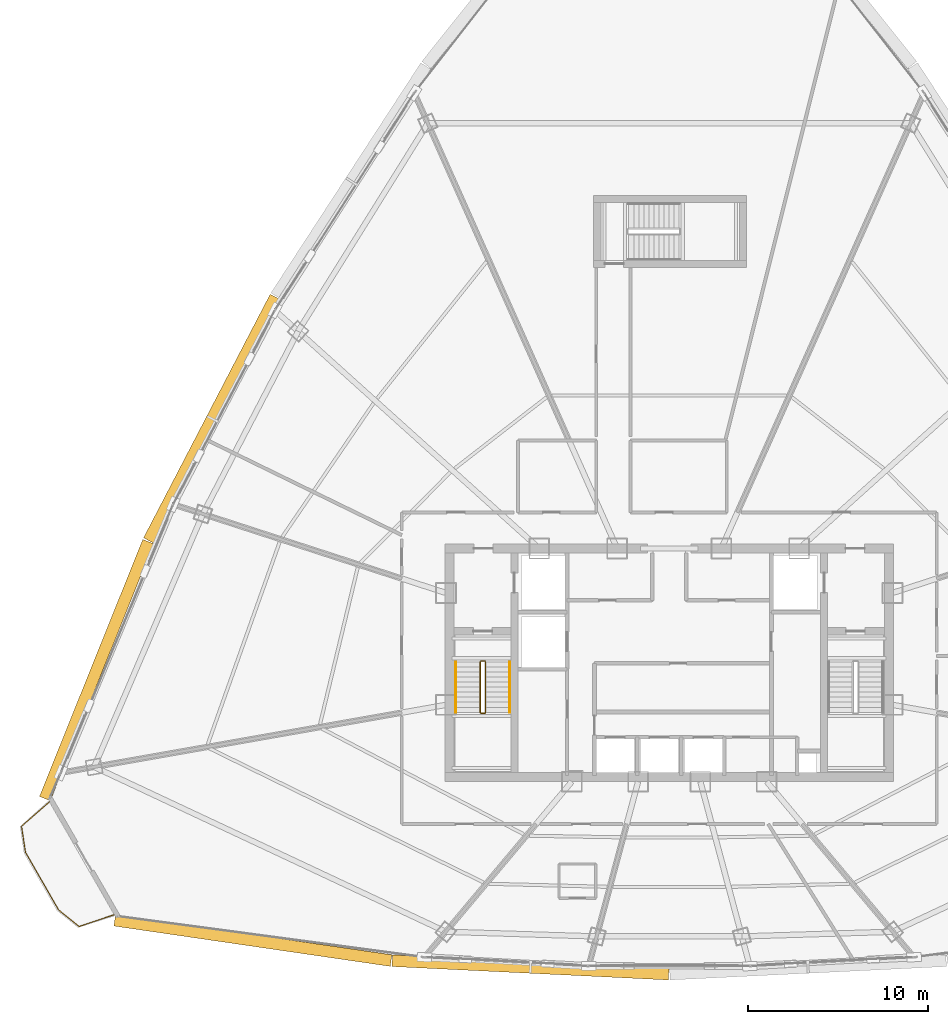
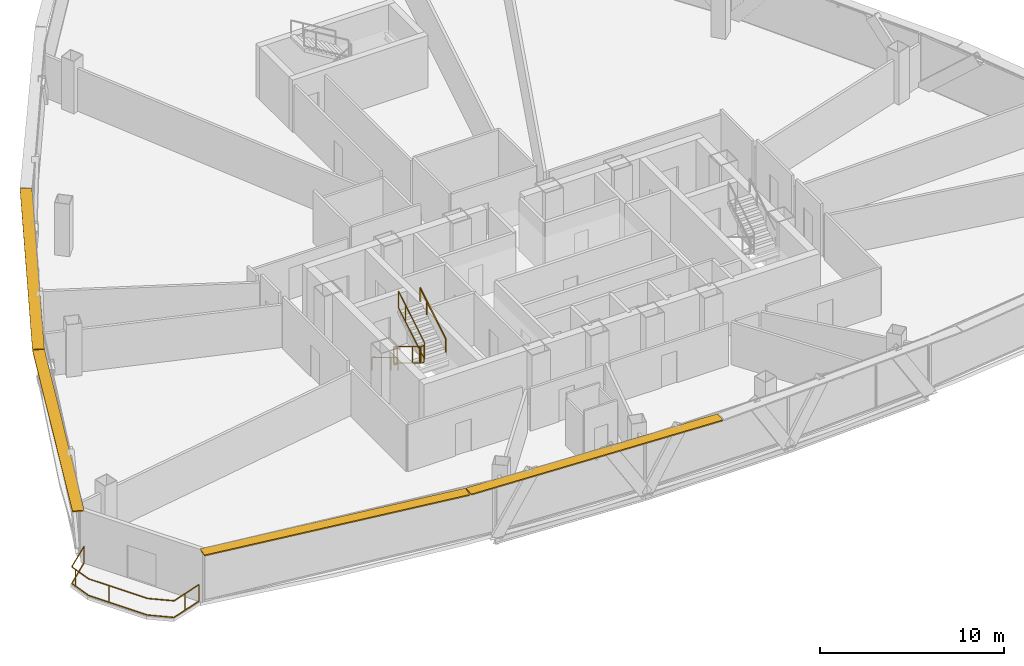
# One storey, part 34 of 37: 7 railings, 4 shading devices.
"""IFC4 building model written with IfcOpenShell, lengths in metres."""

from ifc_helpers import new_model, si_unit, direction, frame, origin, origin_2d, place, context, subcontext, project, spatial, rectangle, extrude, source, transform, mapped, material, layer, layer_set, type_object, element, save


model = new_model("IFC4")

# Units and contexts
model_context = context("Model", 3, precision=1e-05, world=origin(), true_north=direction((0.0, 1.0)))
body_context = subcontext(model_context, "Body", "Model", "MODEL_VIEW")
ifc_project = project(units=[si_unit("LENGTHUNIT", "METRE"), si_unit("AREAUNIT", "SQUARE_METRE"), si_unit("VOLUMEUNIT", "CUBIC_METRE"), si_unit("PLANEANGLEUNIT", "RADIAN"), si_unit("MASSUNIT", "GRAM", prefix="KILO"), si_unit("THERMODYNAMICTEMPERATUREUNIT", "KELVIN"), si_unit("POWERUNIT", "WATT")], contexts=[model_context])

# Site, building, storey
site_placement = place(None, origin())
site = spatial("IfcSite", under=ifc_project, at=site_placement, CompositionType="ELEMENT")
building_placement = place(site_placement, origin())
building = spatial("IfcBuilding", under=site, at=building_placement, Name="Yunzhuo Pagoda Commons", CompositionType="ELEMENT")
storey_placement = place(building_placement, frame((0.0, 0.0, 255.719970703125)))
storey = spatial("IfcBuildingStorey", under=building, at=storey_placement, Name="L64", CompositionType="ELEMENT", Elevation=255.719970703125)

# Railings
ifc_material = material(Name="Anodized aluminium 6063-T6", Category="aluminium")
railing_type_1 = type_object("IfcRailingType", Name="GR-ST1 Stair Well Guardrail 1150", PredefinedType="GUARDRAIL", material=ifc_material)
railing_1_placement = place(storey_placement, frame((37.5, 33.89990234375, 0.169677734375)))
element("IfcRailing", 1, at=railing_1_placement, inside=storey, type_object=railing_type_1, Name="L64 ST1 stair guard 1", PredefinedType="GUARDRAIL", context=body_context, shape_type="SweptSolid", body=[
    extrude(rectangle(XDim=0.048095703125, YDim=0.048095703125, at=origin_2d()), frame((0.0, 0.0, 1.1259765625), z_axis=(0.0, -0.855406155521, 0.517957825596), x_axis=(1.0, 0.0, 0.0)), (0.0, 0.0, 1.0), 3.27294921875),
    extrude(rectangle(XDim=0.048095703125, YDim=0.048095703125, at=origin_2d()), frame((0.0, 0.0, 0.02392578125), z_axis=(0.0, -0.855406155521, 0.517957825596), x_axis=(1.0, 0.0, 0.0)), (0.0, 0.0, 1.0), 3.27294921875),
    extrude(rectangle(XDim=0.0419921875, YDim=0.0419921875, at=origin_2d()), origin(), (0.0, 0.0, 1.0), 1.101806640625),
    extrude(rectangle(XDim=0.0419921875, YDim=0.0419921875, at=origin_2d()), frame((0.0, -2.052978515625, 1.2431640625)), (0.0, 0.0, 1.0), 1.101806640625),
    extrude(rectangle(XDim=0.0419921875, YDim=0.0419921875, at=origin_2d()), frame((0.0, -2.7998046875, 1.6953125)), (0.0, 0.0, 1.0), 1.101806640625),
])
railing_2_placement = place(storey_placement, frame((37.550048828125, 31.050048828125, 1.864990234375)))
element("IfcRailing", 2, at=railing_2_placement, inside=storey, type_object=railing_type_1, Name="L64 ST1 stair guard 2", PredefinedType="GUARDRAIL", context=body_context, shape_type="SweptSolid", body=[
    extrude(rectangle(XDim=0.048095703125, YDim=0.048095703125, at=origin_2d()), frame((0.0, 0.0, 1.1259765625), z_axis=(1.0, 0.0, 0.0), x_axis=(0.0, 1.0, 0.0)), (0.0, 0.0, 1.0), 0.199951171875),
    extrude(rectangle(XDim=0.048095703125, YDim=0.048095703125, at=origin_2d()), frame((0.0, 0.0, 0.02392578125), z_axis=(1.0, 0.0, 0.0), x_axis=(0.0, 1.0, 0.0)), (0.0, 0.0, 1.0), 0.199951171875),
    extrude(rectangle(XDim=0.0419921875, YDim=0.0419921875, at=origin_2d()), origin(), (0.0, 0.0, 1.0), 1.101806640625),
    extrude(rectangle(XDim=0.0419921875, YDim=0.0419921875, at=origin_2d()), frame((0.199951171875, 0.0, 0.0)), (0.0, 0.0, 1.0), 1.101806640625),
])
railing_3_placement = place(storey_placement, frame((37.800048828125, 31.10009765625, 2.03466796875)))
element("IfcRailing", 3, at=railing_3_placement, inside=storey, type_object=railing_type_1, Name="L64 ST1 stair guard 3", PredefinedType="GUARDRAIL", context=body_context, shape_type="SweptSolid", body=[
    extrude(rectangle(XDim=0.048095703125, YDim=0.048095703125, at=origin_2d()), frame((0.0, 0.0, 1.1259765625), z_axis=(0.0, 0.855406155521, 0.517957825596), x_axis=(-1.0, 0.0, 0.0)), (0.0, 0.0, 1.0), 3.27294921875),
    extrude(rectangle(XDim=0.048095703125, YDim=0.048095703125, at=origin_2d()), frame((0.0, 0.0, 0.02392578125), z_axis=(0.0, 0.855406155521, 0.517957825596), x_axis=(-1.0, 0.0, 0.0)), (0.0, 0.0, 1.0), 3.27294921875),
    extrude(rectangle(XDim=0.0419921875, YDim=0.0419921875, at=origin_2d()), origin(), (0.0, 0.0, 1.0), 1.101806640625),
    extrude(rectangle(XDim=0.0419921875, YDim=0.0419921875, at=origin_2d()), frame((0.0, 2.052978515625, 1.2431640625)), (0.0, 0.0, 1.0), 1.101806640625),
    extrude(rectangle(XDim=0.0419921875, YDim=0.0419921875, at=origin_2d()), frame((0.0, 2.7998046875, 1.6953125)), (0.0, 0.0, 1.0), 1.101806640625),
])
railing_4_placement = place(storey_placement, frame((37.550048828125, 33.949951171875, 0.0)))
element("IfcRailing", 4, at=railing_4_placement, inside=storey, type_object=railing_type_1, Name="L64 ST1 stair guard 4", PredefinedType="GUARDRAIL", context=body_context, shape_type="SweptSolid", body=[
    extrude(rectangle(XDim=0.048095703125, YDim=0.048095703125, at=origin_2d()), frame((0.0, 0.0, 1.1259765625), z_axis=(1.0, 0.0, 0.0), x_axis=(0.0, 1.0, 0.0)), (0.0, 0.0, 1.0), 0.199951171875),
    extrude(rectangle(XDim=0.048095703125, YDim=0.048095703125, at=origin_2d()), frame((0.0, 0.0, 0.02392578125), z_axis=(1.0, 0.0, 0.0), x_axis=(0.0, 1.0, 0.0)), (0.0, 0.0, 1.0), 0.199951171875),
    extrude(rectangle(XDim=0.0419921875, YDim=0.0419921875, at=origin_2d()), origin(), (0.0, 0.0, 1.0), 1.101806640625),
    extrude(rectangle(XDim=0.0419921875, YDim=0.0419921875, at=origin_2d()), frame((0.199951171875, 0.0, 0.0)), (0.0, 0.0, 1.0), 1.101806640625),
])
railing_type_2 = type_object("IfcRailingType", Name="HR-ST1 Stair Handrail 900", PredefinedType="HANDRAIL", material=ifc_material)
railing_5_placement = place(storey_placement, frame((36.14990234375, 33.89990234375, 0.169677734375)))
element("IfcRailing", 5, at=railing_5_placement, inside=storey, type_object=railing_type_2, Name="L64 ST1 stair handrail 1", PredefinedType="HANDRAIL", context=body_context, shape_type="SweptSolid", body=[
    extrude(rectangle(XDim=0.048095703125, YDim=0.048095703125, at=origin_2d()), frame((0.0, 0.0, 0.8759765625), z_axis=(0.0, -0.855406155521, 0.517957825596), x_axis=(1.0, 0.0, 0.0)), (0.0, 0.0, 1.0), 3.27294921875),
    extrude(rectangle(XDim=0.0419921875, YDim=0.0419921875, at=origin_2d()), origin(), (0.0, 0.0, 1.0), 0.851806640625),
    extrude(rectangle(XDim=0.0419921875, YDim=0.0419921875, at=origin_2d()), frame((0.0, -2.052978515625, 1.2431640625)), (0.0, 0.0, 1.0), 0.851806640625),
    extrude(rectangle(XDim=0.0419921875, YDim=0.0419921875, at=origin_2d()), frame((0.0, -2.7998046875, 1.6953125)), (0.0, 0.0, 1.0), 0.851806640625),
])
railing_6_placement = place(storey_placement, frame((39.14990234375, 31.10009765625, 2.03466796875)))
element("IfcRailing", 6, at=railing_6_placement, inside=storey, type_object=railing_type_2, Name="L64 ST1 stair handrail 2", PredefinedType="HANDRAIL", context=body_context, shape_type="SweptSolid", body=[
    extrude(rectangle(XDim=0.048095703125, YDim=0.048095703125, at=origin_2d()), frame((0.0, 0.0, 0.8759765625), z_axis=(0.0, 0.855406155521, 0.517957825596), x_axis=(-1.0, 0.0, 0.0)), (0.0, 0.0, 1.0), 3.27294921875),
    extrude(rectangle(XDim=0.0419921875, YDim=0.0419921875, at=origin_2d()), origin(), (0.0, 0.0, 1.0), 0.851806640625),
    extrude(rectangle(XDim=0.0419921875, YDim=0.0419921875, at=origin_2d()), frame((0.0, 2.052978515625, 1.2431640625)), (0.0, 0.0, 1.0), 0.851806640625),
    extrude(rectangle(XDim=0.0419921875, YDim=0.0419921875, at=origin_2d()), frame((0.0, 2.7998046875, 1.6953125)), (0.0, 0.0, 1.0), 0.851806640625),
])
railing_type_3 = type_object("IfcRailingType", Name="RL-BAL1 Exterior Terrace & Balcony Balustrade 1150", PredefinedType="BALUSTRADE", material=ifc_material)
railing_7_placement = place(storey_placement, frame((13.5830078125, 26.127685546875, 0.0)))
element("IfcRailing", 7, at=railing_7_placement, inside=storey, type_object=railing_type_3, Name="L64 corner balcony balustrade V1", PredefinedType="BALUSTRADE", context=body_context, shape_type="SweptSolid", body=[
    extrude(rectangle(XDim=0.048095703125, YDim=0.048095703125, at=origin_2d()), frame((0.0, 0.0, 1.1259765625), z_axis=(-0.753984993137, -0.656891642605, 0.0), x_axis=(0.656891642605, -0.753984993137, 0.0)), (0.0, 0.0, 1.0), 2.059326171875),
    extrude(rectangle(XDim=0.048095703125, YDim=0.048095703125, at=origin_2d()), frame((0.0, 0.0, 0.02392578125), z_axis=(-0.753984993137, -0.656891642605, 0.0), x_axis=(0.656891642605, -0.753984993137, 0.0)), (0.0, 0.0, 1.0), 2.059326171875),
    extrude(rectangle(XDim=0.048095703125, YDim=0.048095703125, at=origin_2d()), frame((-1.552734375, -1.352783203125, 1.1259765625), z_axis=(0.150466779766, -0.988615065729, 0.0), x_axis=(0.988615065729, 0.150466779766, 0.0)), (0.0, 0.0, 1.0), 1.465087890625),
    extrude(rectangle(XDim=0.048095703125, YDim=0.048095703125, at=origin_2d()), frame((-1.552734375, -1.352783203125, 0.02392578125), z_axis=(0.150466779766, -0.988615065729, 0.0), x_axis=(0.988615065729, 0.150466779766, 0.0)), (0.0, 0.0, 1.0), 1.465087890625),
    extrude(rectangle(XDim=0.048095703125, YDim=0.048095703125, at=origin_2d()), frame((-1.332275390625, -2.80126953125, 1.1259765625), z_axis=(0.497975284399, -0.867191222354, 0.0), x_axis=(0.867191222354, 0.497975284399, 0.0)), (0.0, 0.0, 1.0), 3.691650390625),
    extrude(rectangle(XDim=0.048095703125, YDim=0.048095703125, at=origin_2d()), frame((-1.332275390625, -2.80126953125, 0.02392578125), z_axis=(0.497975284399, -0.867191222354, 0.0), x_axis=(0.867191222354, 0.497975284399, 0.0)), (0.0, 0.0, 1.0), 3.691650390625),
    extrude(rectangle(XDim=0.048095703125, YDim=0.048095703125, at=origin_2d()), frame((0.506103515625, -6.002685546875, 1.1259765625), z_axis=(0.777884784349, -0.628406924117, 0.0), x_axis=(0.628406924117, 0.777884784349, 0.0)), (0.0, 0.0, 1.0), 1.465087890625),
    extrude(rectangle(XDim=0.048095703125, YDim=0.048095703125, at=origin_2d()), frame((0.506103515625, -6.002685546875, 0.02392578125), z_axis=(0.777884784349, -0.628406924117, 0.0), x_axis=(0.628406924117, 0.777884784349, 0.0)), (0.0, 0.0, 1.0), 1.465087890625),
    extrude(rectangle(XDim=0.048095703125, YDim=0.048095703125, at=origin_2d()), frame((1.645751953125, -6.92333984375, 1.1259765625), z_axis=(0.947419062147, 0.319995501031, 0.0), x_axis=(-0.319995501031, 0.947419062147, 0.0)), (0.0, 0.0, 1.0), 2.05908203125),
    extrude(rectangle(XDim=0.048095703125, YDim=0.048095703125, at=origin_2d()), frame((1.645751953125, -6.92333984375, 0.02392578125), z_axis=(0.947419062147, 0.319995501031, 0.0), x_axis=(-0.319995501031, 0.947419062147, 0.0)), (0.0, 0.0, 1.0), 2.05908203125),
    extrude(rectangle(XDim=0.0419921875, YDim=0.0419921875, at=origin_2d()), origin(), (0.0, 0.0, 1.0), 1.101806640625),
    extrude(rectangle(XDim=0.0419921875, YDim=0.0419921875, at=origin_2d()), frame((-1.50146484375, -1.689453125, 0.0)), (0.0, 0.0, 1.0), 1.101806640625),
    extrude(rectangle(XDim=0.0419921875, YDim=0.0419921875, at=origin_2d()), frame((-0.697021484375, -3.9072265625, 0.0)), (0.0, 0.0, 1.0), 1.101806640625),
    extrude(rectangle(XDim=0.0419921875, YDim=0.0419921875, at=origin_2d()), frame((2.51611328125, -6.62939453125, 0.0)), (0.0, 0.0, 1.0), 1.101806640625),
    extrude(rectangle(XDim=0.0419921875, YDim=0.0419921875, at=origin_2d()), frame((3.5966796875, -6.264404296875, 0.0)), (0.0, 0.0, 1.0), 1.101806640625),
])

# Shading devices
ifc_layer = layer(ifc_material, 0.080078125)
ifc_layer_set = layer_set([ifc_layer], Name="Anodized aluminium 6063-T6")
shading_device_type = type_object("IfcShadingDeviceType", Name="SH-SUN1 Pagoda Horizontal Sunshade Eave 650", PredefinedType="USERDEFINED", material=ifc_layer_set)
shared_shape_1 = source(origin(), body_context, "Body", "SweptSolid", [
    extrude(rectangle(XDim=15.513427734375, YDim=0.64990234375, at=origin_2d()), origin(), (0.0, 0.0, 1.0), 0.080078125),
])
shading_device_1_placement = place(storey_placement, frame((24.8798828125, 18.43310546875, 3.389892578125), z_axis=(0.0, 0.0, 1.0), x_axis=(0.989513187846, -0.144442552866, 0.0)))
element("IfcShadingDevice", 8, at=shading_device_1_placement, inside=storey, type_object=shading_device_type, Name="L64 horizontal pagoda sunshade eave F1.1", ObjectType="SUNSHADE", PredefinedType="USERDEFINED", context=body_context, shape_type="MappedRepresentation", body=[
    mapped(shared_shape_1, transform((0.0, 0.0, 0.0), scale=1.0)),
])
shared_shape_2 = source(origin(), body_context, "Body", "SweptSolid", [
    extrude(rectangle(XDim=15.368408203125, YDim=0.64990234375, at=origin_2d()), origin(), (0.0, 0.0, 1.0), 0.080078125),
])
shading_device_2_placement = place(storey_placement, frame((40.293212890625, 16.93310546875, 3.389892578125), z_axis=(0.0, 0.0, 1.0), x_axis=(0.998818043775, -0.04860571396, 0.0)))
element("IfcShadingDevice", 9, at=shading_device_2_placement, inside=storey, type_object=shading_device_type, Name="L64 horizontal pagoda sunshade eave F1.2", ObjectType="SUNSHADE", PredefinedType="USERDEFINED", context=body_context, shape_type="MappedRepresentation", body=[
    mapped(shared_shape_2, transform((0.0, 0.0, 0.0), scale=1.0)),
])
shared_shape_3 = source(origin(), body_context, "Body", "SweptSolid", [
    extrude(rectangle(XDim=15.388671875, YDim=0.64990234375, at=origin_2d()), origin(), (0.0, 0.0, 1.0), 0.080078125),
])
shading_device_3_placement = place(storey_placement, frame((16.19775390625, 33.444091796875, 3.389892578125), z_axis=(0.0, 0.0, 1.0), x_axis=(-0.372987782576, -0.927836253899, 0.0)))
element("IfcShadingDevice", 10, at=shading_device_3_placement, inside=storey, type_object=shading_device_type, Name="L64 horizontal pagoda sunshade eave F3.4", ObjectType="SUNSHADE", PredefinedType="USERDEFINED", context=body_context, shape_type="MappedRepresentation", body=[
    mapped(shared_shape_3, transform((0.0, 0.0, 0.0), scale=1.0)),
])
shared_shape_4 = source(origin(), body_context, "Body", "SweptSolid", [
    extrude(rectangle(XDim=15.242431640625, YDim=0.64990234375, at=origin_2d()), origin(), (0.0, 0.0, 1.0), 0.080078125),
])
shading_device_4_placement = place(storey_placement, frame((22.609130859375, 47.40283203125, 3.389892578125), z_axis=(0.0, 0.0, 1.0), x_axis=(-0.461206683033, -0.88729273384, 0.0)))
element("IfcShadingDevice", 11, at=shading_device_4_placement, inside=storey, type_object=shading_device_type, Name="L64 horizontal pagoda sunshade eave F3.3", ObjectType="SUNSHADE", PredefinedType="USERDEFINED", context=body_context, shape_type="MappedRepresentation", body=[
    mapped(shared_shape_4, transform((0.0, 0.0, 0.0), scale=1.0)),
])

save(model, "model.ifc")
